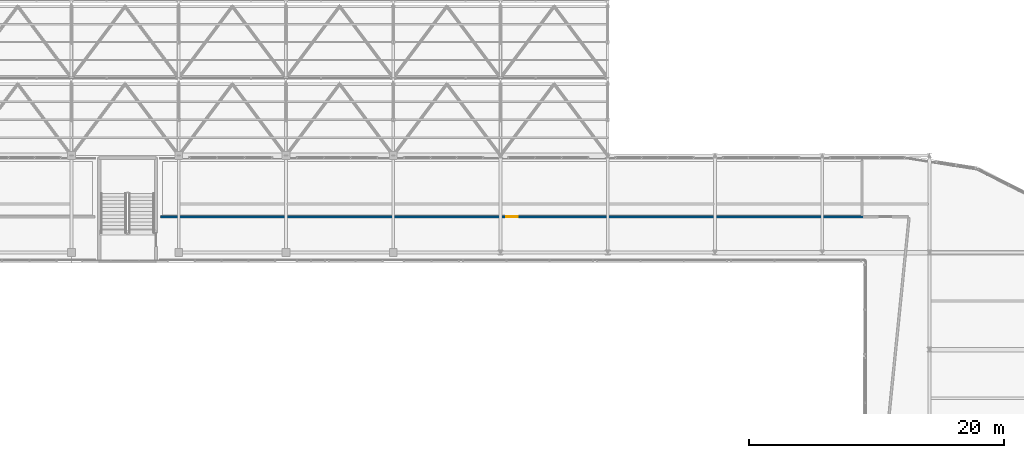
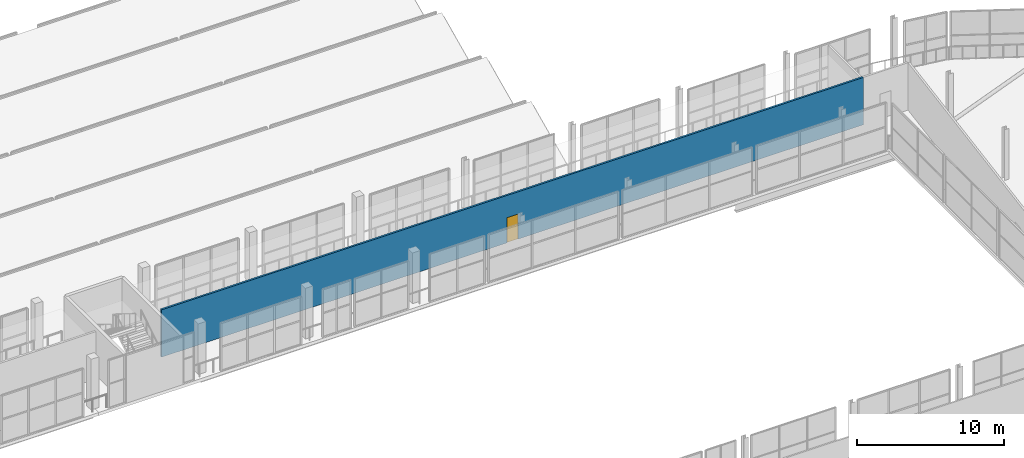
# One storey, part 197 of 217: 1 door, 1 wall, 1 opening.
"""IFC4 building model written with IfcOpenShell, lengths in metres."""

from ifc_helpers import new_model, si_unit, direction, frame, frame_2d, origin, place, context, subcontext, project, spatial, rectangle, extrude, material, layer, layer_set, type_object, element, fill, save


model = new_model("IFC4")

# Units and contexts
model_context = context("Model", 3, precision=1e-05, world=origin(), true_north=direction((0.0, 1.0)))
body_context = subcontext(model_context, "Body", "Model", "MODEL_VIEW")
ifc_project = project(units=[si_unit("LENGTHUNIT", "METRE"), si_unit("AREAUNIT", "SQUARE_METRE"), si_unit("VOLUMEUNIT", "CUBIC_METRE"), si_unit("PLANEANGLEUNIT", "RADIAN"), si_unit("MASSUNIT", "GRAM", prefix="KILO")], contexts=[model_context])

# Site, building, storey
site_placement = place(None, origin())
site = spatial("IfcSite", under=ifc_project, at=site_placement, CompositionType="ELEMENT")
building_placement = place(site_placement, origin())
building = spatial("IfcBuilding", under=site, at=building_placement, Name="Zuvorla Pavilion Media Centre", CompositionType="ELEMENT")
storey_placement = place(building_placement, frame((0.0, 0.0, 9.60009765625)))
storey = spatial("IfcBuildingStorey", under=building, at=storey_placement, Name="L02", CompositionType="ELEMENT", Elevation=9.60009765625)

# Wall, opening, door
ifc_material_1 = material(Name="Acoustic gypsum stud partition")
ifc_layer = layer(ifc_material_1, 0.14990234375)
ifc_layer_set = layer_set([ifc_layer], Name="Acoustic gypsum stud partition")
wall_type = type_object("IfcWallType", Name="WL-PRT-150", PredefinedType="PARTITIONING", material=ifc_layer_set)
wall_placement = place(storey_placement, frame((98.98046875, 84.800048828125, 0.0), z_axis=(0.0, 0.0, 1.0), x_axis=(1.0, 0.0, 0.0)))
wall = element("IfcWall", 1, at=wall_placement, inside=storey, type_object=wall_type, Name="L02 partition PT15 507", PredefinedType="PARTITIONING", context=body_context, shape_type="SweptSolid", body=[
    extrude(rectangle(XDim=55.0390625, YDim=0.14990234375, at=frame_2d((27.51953125, 0.0))), origin(), (0.0, 0.0, 1.0), 3.929931640625),
])
opening_placement = place(wall_placement, frame((27.07958984375, 0.0, 0.0)))
opening = element("IfcOpeningElement", 2, at=opening_placement, cuts=wall, Name="Opening ID01", PredefinedType="OPENING", context=body_context, shape_type="SweptSolid", body=[
    extrude(rectangle(XDim=0.8798828125, YDim=2.080078125, at=frame_2d((0.43994140625, 1.0400390625))), frame((0.0, 0.0849609375, 0.0), z_axis=(0.0, -1.0, 0.0), x_axis=(1.0, 0.0, 0.0)), (0.0, 0.0, 1.0), 0.169921875),
])
ifc_material_2 = material(Name="Hardwood acoustic studio door in anodised frame", Category="wood")
door_type = type_object("IfcDoorType", Name="DR-UNR-ID01", OperationType="NOTDEFINED", PredefinedType="DOOR", material=ifc_material_2)
door_placement = place(opening_placement, origin())
door = element("IfcDoor", 3, at=door_placement, inside=storey, type_object=door_type, Name="Interior door ID01 214", OperationType="SINGLE_SWING_LEFT", OverallHeight=2.080078125, OverallWidth=0.8798828125, PredefinedType="DOOR", context=body_context, shape_type="SweptSolid", body=[
    extrude(rectangle(XDim=0.8798828125, YDim=2.080078125, at=frame_2d((0.43994140625, 1.0400390625))), frame((0.0, 0.02490234375, 0.0), z_axis=(0.0, -1.0, 0.0), x_axis=(1.0, 0.0, 0.0)), (0.0, 0.0, 1.0), 0.050048828125),
])
fill(opening, door)

save(model, "model.ifc")
